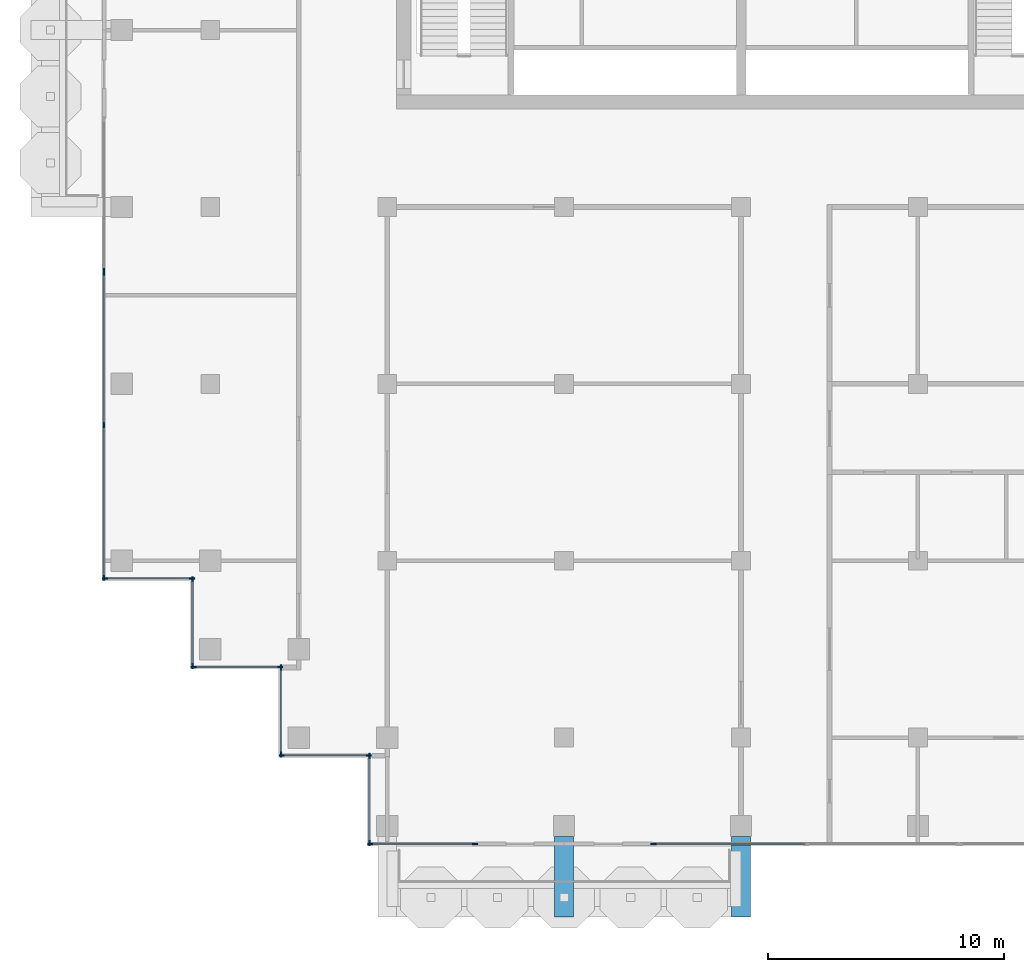
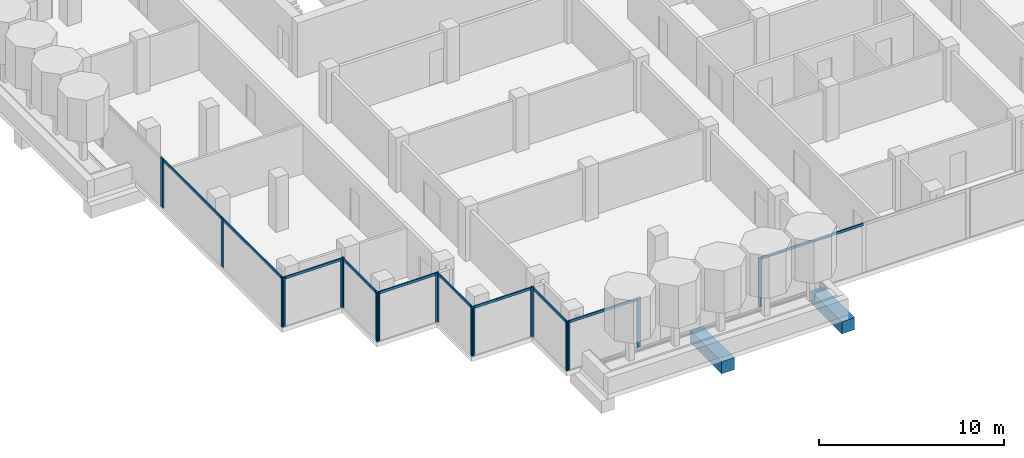
# One storey, part 2 of 18: 29 members, 2 beams, 10 elements without a shape of their own.
"""IFC4 building model written with IfcOpenShell, lengths in metres."""

from ifc_helpers import new_model, si_unit, direction, frame, origin, origin_2d, place, context, subcontext, project, spatial, rectangle, extrude, material, material_profile, profile_set, type_object, element, aggregate, save


model = new_model("IFC4")

# Units and contexts
model_context = context("Model", 3, precision=1e-05, world=origin(), true_north=direction((0.0, 1.0)))
body_context = subcontext(model_context, "Body", "Model", "MODEL_VIEW")
ifc_project = project(units=[si_unit("LENGTHUNIT", "METRE"), si_unit("AREAUNIT", "SQUARE_METRE"), si_unit("VOLUMEUNIT", "CUBIC_METRE"), si_unit("PLANEANGLEUNIT", "RADIAN"), si_unit("MASSUNIT", "GRAM", prefix="KILO")], contexts=[model_context])

# Site, building, storey
site_placement = place(None, origin())
site = spatial("IfcSite", under=ifc_project, at=site_placement, CompositionType="ELEMENT")
building_placement = place(site_placement, origin())
building = spatial("IfcBuilding", under=site, at=building_placement, Name="Pilkhan Gate Tower", CompositionType="ELEMENT")
storey_placement = place(building_placement, frame((0.0, 0.0, 249.89990234375)))
storey = spatial("IfcBuildingStorey", under=building, at=storey_placement, Name="L65", CompositionType="ELEMENT", Elevation=249.89990234375)

# Beams
ifc_material_1 = material(Name="Concrete C50/60", Category="concrete")
ifc_material_profile_1 = material_profile(ifc_material_1, rectangle(XDim=0.800048828125, YDim=0.800048828125, at=origin_2d()), Name="RC 800x800")
ifc_profile_set_1 = profile_set([ifc_material_profile_1], Name="Concrete C50/60")
beam_type = type_object("IfcBeamType", Name="Cantilever beam CB2 RC 800x800 C50/60", PredefinedType="BEAM", material=ifc_profile_set_1)
for number, where, z_axis, x_axis, name in (
    (1, (67.5, 40.800048828125, -0.699951171875), (0.0, -1.0, 0.0), (1.0, 0.0, 0.0), "Balcony beam S.2 L65"),
    (2, (75.0, 40.800048828125, -0.699951171875), (0.0, -1.0, 0.0), (1.0, 0.0, 0.0), "Balcony beam S.3 L65"),
):
    element("IfcBeam", number, at=place(storey_placement, frame(where, z_axis=z_axis, x_axis=x_axis)), inside=storey, type_object=beam_type, Name=name, PredefinedType="BEAM", context=body_context, shape_type="SweptSolid", body=[
        extrude(rectangle(XDim=0.800048828125, YDim=0.800048828125, at=origin_2d()), origin(), (0.0, 0.0, 1.0), 3.400146484375),
    ])

# Curtain wall, members
ifc_material_2 = material(Name="Pale anodised aluminium, clear low-iron double glazing", Category="aluminium")
curtain_wall_type = type_object("IfcCurtainWallType", Name="Office unitised curtain wall CW-O2", PredefinedType="USERDEFINED", material=ifc_material_2)
curtain_wall_1_placement = place(storey_placement, origin())
curtain_wall_1 = element("IfcCurtainWall", 3, at=curtain_wall_1_placement, inside=storey, type_object=curtain_wall_type, Name="Office unitised curtain wall CW-O2 L65 W", ObjectType="UNITISED CURTAIN WALL", PredefinedType="USERDEFINED")
ifc_material_3 = material(Name="Pale anodised aluminium", Category="aluminium")
ifc_material_profile_2 = material_profile(ifc_material_3, rectangle(XDim=0.06494140625, YDim=0.22509765625, at=origin_2d()), Name="Mullion 225x65")
ifc_profile_set_2 = profile_set([ifc_material_profile_2], Name="Pale anodised aluminium")
member_type_1 = type_object("IfcMemberType", Name="Mullion CW-O2 225x65", PredefinedType="MULLION", material=ifc_profile_set_2)
member_1_placement = place(storey_placement, frame((48.0, 51.782470703125, 0.0), z_axis=(0.0, 0.0, 1.0), x_axis=(-1.0, 0.0, 0.0)))
member_1 = element("IfcMember", 4, at=member_1_placement, type_object=member_type_1, Name="CW-O2 mullion 1", PredefinedType="MULLION", context=body_context, shape_type="SweptSolid", body=[
    extrude(rectangle(XDim=0.06494140625, YDim=0.22509765625, at=origin_2d()), origin(), (0.0, 0.0, 1.0), 3.25),
])
member_2_placement = place(storey_placement, frame((48.0, 58.25, 0.0), z_axis=(0.0, 0.0, 1.0), x_axis=(-1.0, 0.0, 0.0)))
member_2 = element("IfcMember", 5, at=member_2_placement, type_object=member_type_1, Name="CW-O2 mullion 2", PredefinedType="MULLION", context=body_context, shape_type="SweptSolid", body=[
    extrude(rectangle(XDim=0.06494140625, YDim=0.22509765625, at=origin_2d()), origin(), (0.0, 0.0, 1.0), 3.25),
])
member_3_placement = place(storey_placement, frame((48.0, 64.717529296875, 0.0), z_axis=(0.0, 0.0, 1.0), x_axis=(-1.0, 0.0, 0.0)))
member_3 = element("IfcMember", 6, at=member_3_placement, type_object=member_type_1, Name="CW-O2 mullion 3", PredefinedType="MULLION", context=body_context, shape_type="SweptSolid", body=[
    extrude(rectangle(XDim=0.06494140625, YDim=0.22509765625, at=origin_2d()), origin(), (0.0, 0.0, 1.0), 3.25),
])

# Curtain wall, member
curtain_wall_2_placement = place(storey_placement, origin())
curtain_wall_2 = element("IfcCurtainWall", 7, at=curtain_wall_2_placement, inside=storey, type_object=curtain_wall_type, Name="Office unitised curtain wall CW-O2 L65 W", ObjectType="UNITISED CURTAIN WALL", PredefinedType="USERDEFINED")
member_4_placement = place(storey_placement, frame((48.0, 64.782470703125, 0.0), z_axis=(0.0, 0.0, 1.0), x_axis=(-1.0, 0.0, 0.0)))
member_4 = element("IfcMember", 8, at=member_4_placement, type_object=member_type_1, Name="CW-O2 mullion 1", PredefinedType="MULLION", context=body_context, shape_type="SweptSolid", body=[
    extrude(rectangle(XDim=0.06494140625, YDim=0.22509765625, at=origin_2d()), origin(), (0.0, 0.0, 1.0), 3.25),
])
aggregate(curtain_wall_2, [member_4])

# Curtain wall, members
curtain_wall_3_placement = place(storey_placement, origin())
curtain_wall_3 = element("IfcCurtainWall", 9, at=curtain_wall_3_placement, inside=storey, type_object=curtain_wall_type, Name="Office unitised curtain wall CW-O2 L65 S", ObjectType="UNITISED CURTAIN WALL", PredefinedType="USERDEFINED")
member_5_placement = place(storey_placement, frame((48.032470703125, 51.75, 0.0), z_axis=(0.0, 0.0, 1.0), x_axis=(0.0, 1.0, 0.0)))
member_5 = element("IfcMember", 10, at=member_5_placement, type_object=member_type_1, Name="CW-O2 mullion 1", PredefinedType="MULLION", context=body_context, shape_type="SweptSolid", body=[
    extrude(rectangle(XDim=0.06494140625, YDim=0.22509765625, at=origin_2d()), origin(), (0.0, 0.0, 1.0), 3.25),
])
member_6_placement = place(storey_placement, frame((51.717529296875, 51.75, 0.0), z_axis=(0.0, 0.0, 1.0), x_axis=(0.0, 1.0, 0.0)))
member_6 = element("IfcMember", 11, at=member_6_placement, type_object=member_type_1, Name="CW-O2 mullion 2", PredefinedType="MULLION", context=body_context, shape_type="SweptSolid", body=[
    extrude(rectangle(XDim=0.06494140625, YDim=0.22509765625, at=origin_2d()), origin(), (0.0, 0.0, 1.0), 3.25),
])

curtain_wall_4_placement = place(storey_placement, origin())
curtain_wall_4 = element("IfcCurtainWall", 12, at=curtain_wall_4_placement, inside=storey, type_object=curtain_wall_type, Name="Office unitised curtain wall CW-O2 L65 W", ObjectType="UNITISED CURTAIN WALL", PredefinedType="USERDEFINED")
member_7_placement = place(storey_placement, frame((51.75, 48.032470703125, 0.0), z_axis=(0.0, 0.0, 1.0), x_axis=(-1.0, 0.0, 0.0)))
member_7 = element("IfcMember", 13, at=member_7_placement, type_object=member_type_1, Name="CW-O2 mullion 1", PredefinedType="MULLION", context=body_context, shape_type="SweptSolid", body=[
    extrude(rectangle(XDim=0.06494140625, YDim=0.22509765625, at=origin_2d()), origin(), (0.0, 0.0, 1.0), 3.25),
])
member_8_placement = place(storey_placement, frame((51.75, 51.717529296875, 0.0), z_axis=(0.0, 0.0, 1.0), x_axis=(-1.0, 0.0, 0.0)))
member_8 = element("IfcMember", 14, at=member_8_placement, type_object=member_type_1, Name="CW-O2 mullion 2", PredefinedType="MULLION", context=body_context, shape_type="SweptSolid", body=[
    extrude(rectangle(XDim=0.06494140625, YDim=0.22509765625, at=origin_2d()), origin(), (0.0, 0.0, 1.0), 3.25),
])

curtain_wall_5_placement = place(storey_placement, origin())
curtain_wall_5 = element("IfcCurtainWall", 15, at=curtain_wall_5_placement, inside=storey, type_object=curtain_wall_type, Name="Office unitised curtain wall CW-O2 L65 S", ObjectType="UNITISED CURTAIN WALL", PredefinedType="USERDEFINED")
member_9_placement = place(storey_placement, frame((51.782470703125, 48.0, 0.0), z_axis=(0.0, 0.0, 1.0), x_axis=(0.0, 1.0, 0.0)))
member_9 = element("IfcMember", 16, at=member_9_placement, type_object=member_type_1, Name="CW-O2 mullion 1", PredefinedType="MULLION", context=body_context, shape_type="SweptSolid", body=[
    extrude(rectangle(XDim=0.06494140625, YDim=0.22509765625, at=origin_2d()), origin(), (0.0, 0.0, 1.0), 3.25),
])
member_10_placement = place(storey_placement, frame((55.467529296875, 48.0, 0.0), z_axis=(0.0, 0.0, 1.0), x_axis=(0.0, 1.0, 0.0)))
member_10 = element("IfcMember", 17, at=member_10_placement, type_object=member_type_1, Name="CW-O2 mullion 2", PredefinedType="MULLION", context=body_context, shape_type="SweptSolid", body=[
    extrude(rectangle(XDim=0.06494140625, YDim=0.22509765625, at=origin_2d()), origin(), (0.0, 0.0, 1.0), 3.25),
])

curtain_wall_6_placement = place(storey_placement, origin())
curtain_wall_6 = element("IfcCurtainWall", 18, at=curtain_wall_6_placement, inside=storey, type_object=curtain_wall_type, Name="Office unitised curtain wall CW-O2 L65 W", ObjectType="UNITISED CURTAIN WALL", PredefinedType="USERDEFINED")
member_11_placement = place(storey_placement, frame((55.5, 44.282470703125, 0.0), z_axis=(0.0, 0.0, 1.0), x_axis=(-1.0, 0.0, 0.0)))
member_11 = element("IfcMember", 19, at=member_11_placement, type_object=member_type_1, Name="CW-O2 mullion 1", PredefinedType="MULLION", context=body_context, shape_type="SweptSolid", body=[
    extrude(rectangle(XDim=0.06494140625, YDim=0.22509765625, at=origin_2d()), origin(), (0.0, 0.0, 1.0), 3.25),
])
member_12_placement = place(storey_placement, frame((55.5, 47.967529296875, 0.0), z_axis=(0.0, 0.0, 1.0), x_axis=(-1.0, 0.0, 0.0)))
member_12 = element("IfcMember", 20, at=member_12_placement, type_object=member_type_1, Name="CW-O2 mullion 2", PredefinedType="MULLION", context=body_context, shape_type="SweptSolid", body=[
    extrude(rectangle(XDim=0.06494140625, YDim=0.22509765625, at=origin_2d()), origin(), (0.0, 0.0, 1.0), 3.25),
])

curtain_wall_7_placement = place(storey_placement, origin())
curtain_wall_7 = element("IfcCurtainWall", 21, at=curtain_wall_7_placement, inside=storey, type_object=curtain_wall_type, Name="Office unitised curtain wall CW-O2 L65 S", ObjectType="UNITISED CURTAIN WALL", PredefinedType="USERDEFINED")
member_13_placement = place(storey_placement, frame((55.532470703125, 44.25, 0.0), z_axis=(0.0, 0.0, 1.0), x_axis=(0.0, 1.0, 0.0)))
member_13 = element("IfcMember", 22, at=member_13_placement, type_object=member_type_1, Name="CW-O2 mullion 1", PredefinedType="MULLION", context=body_context, shape_type="SweptSolid", body=[
    extrude(rectangle(XDim=0.06494140625, YDim=0.22509765625, at=origin_2d()), origin(), (0.0, 0.0, 1.0), 3.25),
])
member_14_placement = place(storey_placement, frame((59.217529296875, 44.25, 0.0), z_axis=(0.0, 0.0, 1.0), x_axis=(0.0, 1.0, 0.0)))
member_14 = element("IfcMember", 23, at=member_14_placement, type_object=member_type_1, Name="CW-O2 mullion 2", PredefinedType="MULLION", context=body_context, shape_type="SweptSolid", body=[
    extrude(rectangle(XDim=0.06494140625, YDim=0.22509765625, at=origin_2d()), origin(), (0.0, 0.0, 1.0), 3.25),
])

curtain_wall_8_placement = place(storey_placement, origin())
curtain_wall_8 = element("IfcCurtainWall", 24, at=curtain_wall_8_placement, inside=storey, type_object=curtain_wall_type, Name="Office unitised curtain wall CW-O2 L65 W", ObjectType="UNITISED CURTAIN WALL", PredefinedType="USERDEFINED")
member_15_placement = place(storey_placement, frame((59.25, 40.532470703125, 0.0), z_axis=(0.0, 0.0, 1.0), x_axis=(-1.0, 0.0, 0.0)))
member_15 = element("IfcMember", 25, at=member_15_placement, type_object=member_type_1, Name="CW-O2 mullion 1", PredefinedType="MULLION", context=body_context, shape_type="SweptSolid", body=[
    extrude(rectangle(XDim=0.06494140625, YDim=0.22509765625, at=origin_2d()), origin(), (0.0, 0.0, 1.0), 3.25),
])
member_16_placement = place(storey_placement, frame((59.25, 44.217529296875, 0.0), z_axis=(0.0, 0.0, 1.0), x_axis=(-1.0, 0.0, 0.0)))
member_16 = element("IfcMember", 26, at=member_16_placement, type_object=member_type_1, Name="CW-O2 mullion 2", PredefinedType="MULLION", context=body_context, shape_type="SweptSolid", body=[
    extrude(rectangle(XDim=0.06494140625, YDim=0.22509765625, at=origin_2d()), origin(), (0.0, 0.0, 1.0), 3.25),
])

curtain_wall_9_placement = place(storey_placement, origin())
curtain_wall_9 = element("IfcCurtainWall", 27, at=curtain_wall_9_placement, inside=storey, type_object=curtain_wall_type, Name="Office unitised curtain wall CW-O2 L65 S", ObjectType="UNITISED CURTAIN WALL", PredefinedType="USERDEFINED")
member_17_placement = place(storey_placement, frame((59.282470703125, 40.5, 0.0), z_axis=(0.0, 0.0, 1.0), x_axis=(0.0, 1.0, 0.0)))
member_17 = element("IfcMember", 28, at=member_17_placement, type_object=member_type_1, Name="CW-O2 mullion 1", PredefinedType="MULLION", context=body_context, shape_type="SweptSolid", body=[
    extrude(rectangle(XDim=0.06494140625, YDim=0.22509765625, at=origin_2d()), origin(), (0.0, 0.0, 1.0), 3.25),
])
member_18_placement = place(storey_placement, frame((63.717529296875, 40.5, 0.0), z_axis=(0.0, 0.0, 1.0), x_axis=(0.0, 1.0, 0.0)))
member_18 = element("IfcMember", 29, at=member_18_placement, type_object=member_type_1, Name="CW-O2 mullion 2", PredefinedType="MULLION", context=body_context, shape_type="SweptSolid", body=[
    extrude(rectangle(XDim=0.06494140625, YDim=0.22509765625, at=origin_2d()), origin(), (0.0, 0.0, 1.0), 3.25),
])

# Curtain wall, member
curtain_wall_10_placement = place(storey_placement, origin())
curtain_wall_10 = element("IfcCurtainWall", 30, at=curtain_wall_10_placement, inside=storey, type_object=curtain_wall_type, Name="Office unitised curtain wall CW-O2 L65 S", ObjectType="UNITISED CURTAIN WALL", PredefinedType="USERDEFINED")
member_19_placement = place(storey_placement, frame((71.282470703125, 40.5, 0.0), z_axis=(0.0, 0.0, 1.0), x_axis=(0.0, 1.0, 0.0)))
member_19 = element("IfcMember", 31, at=member_19_placement, type_object=member_type_1, Name="CW-O2 mullion 1", PredefinedType="MULLION", context=body_context, shape_type="SweptSolid", body=[
    extrude(rectangle(XDim=0.06494140625, YDim=0.22509765625, at=origin_2d()), origin(), (0.0, 0.0, 1.0), 3.25),
])

# Member
ifc_material_profile_3 = material_profile(ifc_material_3, rectangle(XDim=0.06494140625, YDim=0.1650390625, at=origin_2d()), Name="Transom 165x65")
ifc_profile_set_3 = profile_set([ifc_material_profile_3], Name="Pale anodised aluminium")
member_type_2 = type_object("IfcMemberType", Name="Transom CW-O2 165x65", PredefinedType="USERDEFINED", material=ifc_profile_set_3)
member_20_placement = place(storey_placement, frame((48.0, 51.81494140625, 3.16748046875), z_axis=(0.0, 1.0, 0.0), x_axis=(-1.0, 0.0, 0.0)))
member_20 = element("IfcMember", 32, at=member_20_placement, type_object=member_type_2, Name="CW-O2 transom 1", ObjectType="TRANSOM", PredefinedType="USERDEFINED", context=body_context, shape_type="SweptSolid", body=[
    extrude(rectangle(XDim=0.06494140625, YDim=0.1650390625, at=origin_2d()), origin(), (0.0, 0.0, 1.0), 6.402587890625),
])

member_21_placement = place(storey_placement, frame((48.0, 58.282470703125, 3.16748046875), z_axis=(0.0, 1.0, 0.0), x_axis=(-1.0, 0.0, 0.0)))
member_21 = element("IfcMember", 33, at=member_21_placement, type_object=member_type_2, Name="CW-O2 transom 2", ObjectType="TRANSOM", PredefinedType="USERDEFINED", context=body_context, shape_type="SweptSolid", body=[
    extrude(rectangle(XDim=0.06494140625, YDim=0.1650390625, at=origin_2d()), origin(), (0.0, 0.0, 1.0), 6.402587890625),
])

aggregate(curtain_wall_1, [member_1, member_2, member_3, member_20, member_21])

member_22_placement = place(storey_placement, frame((48.06494140625, 51.75, 3.16748046875), z_axis=(1.0, 0.0, 0.0), x_axis=(0.0, 1.0, 0.0)))
member_22 = element("IfcMember", 34, at=member_22_placement, type_object=member_type_2, Name="CW-O2 transom 1", ObjectType="TRANSOM", PredefinedType="USERDEFINED", context=body_context, shape_type="SweptSolid", body=[
    extrude(rectangle(XDim=0.06494140625, YDim=0.1650390625, at=origin_2d()), origin(), (0.0, 0.0, 1.0), 3.6201171875),
])

aggregate(curtain_wall_3, [member_5, member_6, member_22])

member_23_placement = place(storey_placement, frame((51.75, 48.06494140625, 3.16748046875), z_axis=(0.0, 1.0, 0.0), x_axis=(-1.0, 0.0, 0.0)))
member_23 = element("IfcMember", 35, at=member_23_placement, type_object=member_type_2, Name="CW-O2 transom 1", ObjectType="TRANSOM", PredefinedType="USERDEFINED", context=body_context, shape_type="SweptSolid", body=[
    extrude(rectangle(XDim=0.06494140625, YDim=0.1650390625, at=origin_2d()), origin(), (0.0, 0.0, 1.0), 3.6201171875),
])

aggregate(curtain_wall_4, [member_7, member_8, member_23])

member_24_placement = place(storey_placement, frame((51.81494140625, 48.0, 3.16748046875), z_axis=(1.0, 0.0, 0.0), x_axis=(0.0, 1.0, 0.0)))
member_24 = element("IfcMember", 36, at=member_24_placement, type_object=member_type_2, Name="CW-O2 transom 1", ObjectType="TRANSOM", PredefinedType="USERDEFINED", context=body_context, shape_type="SweptSolid", body=[
    extrude(rectangle(XDim=0.06494140625, YDim=0.1650390625, at=origin_2d()), origin(), (0.0, 0.0, 1.0), 3.6201171875),
])

aggregate(curtain_wall_5, [member_9, member_10, member_24])

member_25_placement = place(storey_placement, frame((55.5, 44.31494140625, 3.16748046875), z_axis=(0.0, 1.0, 0.0), x_axis=(-1.0, 0.0, 0.0)))
member_25 = element("IfcMember", 37, at=member_25_placement, type_object=member_type_2, Name="CW-O2 transom 1", ObjectType="TRANSOM", PredefinedType="USERDEFINED", context=body_context, shape_type="SweptSolid", body=[
    extrude(rectangle(XDim=0.06494140625, YDim=0.1650390625, at=origin_2d()), origin(), (0.0, 0.0, 1.0), 3.6201171875),
])

aggregate(curtain_wall_6, [member_11, member_12, member_25])

member_26_placement = place(storey_placement, frame((55.56494140625, 44.25, 3.16748046875), z_axis=(1.0, 0.0, 0.0), x_axis=(0.0, 1.0, 0.0)))
member_26 = element("IfcMember", 38, at=member_26_placement, type_object=member_type_2, Name="CW-O2 transom 1", ObjectType="TRANSOM", PredefinedType="USERDEFINED", context=body_context, shape_type="SweptSolid", body=[
    extrude(rectangle(XDim=0.06494140625, YDim=0.1650390625, at=origin_2d()), origin(), (0.0, 0.0, 1.0), 3.6201171875),
])

aggregate(curtain_wall_7, [member_13, member_14, member_26])

member_27_placement = place(storey_placement, frame((59.25, 40.56494140625, 3.16748046875), z_axis=(0.0, 1.0, 0.0), x_axis=(-1.0, 0.0, 0.0)))
member_27 = element("IfcMember", 39, at=member_27_placement, type_object=member_type_2, Name="CW-O2 transom 1", ObjectType="TRANSOM", PredefinedType="USERDEFINED", context=body_context, shape_type="SweptSolid", body=[
    extrude(rectangle(XDim=0.06494140625, YDim=0.1650390625, at=origin_2d()), origin(), (0.0, 0.0, 1.0), 3.6201171875),
])

aggregate(curtain_wall_8, [member_15, member_16, member_27])

member_28_placement = place(storey_placement, frame((59.31494140625, 40.5, 3.16748046875), z_axis=(1.0, 0.0, 0.0), x_axis=(0.0, 1.0, 0.0)))
member_28 = element("IfcMember", 40, at=member_28_placement, type_object=member_type_2, Name="CW-O2 transom 1", ObjectType="TRANSOM", PredefinedType="USERDEFINED", context=body_context, shape_type="SweptSolid", body=[
    extrude(rectangle(XDim=0.06494140625, YDim=0.1650390625, at=origin_2d()), origin(), (0.0, 0.0, 1.0), 4.3701171875),
])

aggregate(curtain_wall_9, [member_17, member_18, member_28])

member_29_placement = place(storey_placement, frame((71.31494140625, 40.5, 3.16748046875), z_axis=(1.0, 0.0, 0.0), x_axis=(0.0, 1.0, 0.0)))
member_29 = element("IfcMember", 41, at=member_29_placement, type_object=member_type_2, Name="CW-O2 transom 1", ObjectType="TRANSOM", PredefinedType="USERDEFINED", context=body_context, shape_type="SweptSolid", body=[
    extrude(rectangle(XDim=0.06494140625, YDim=0.1650390625, at=origin_2d()), origin(), (0.0, 0.0, 1.0), 6.402587890625),
])

aggregate(curtain_wall_10, [member_19, member_29])

save(model, "model.ifc")
